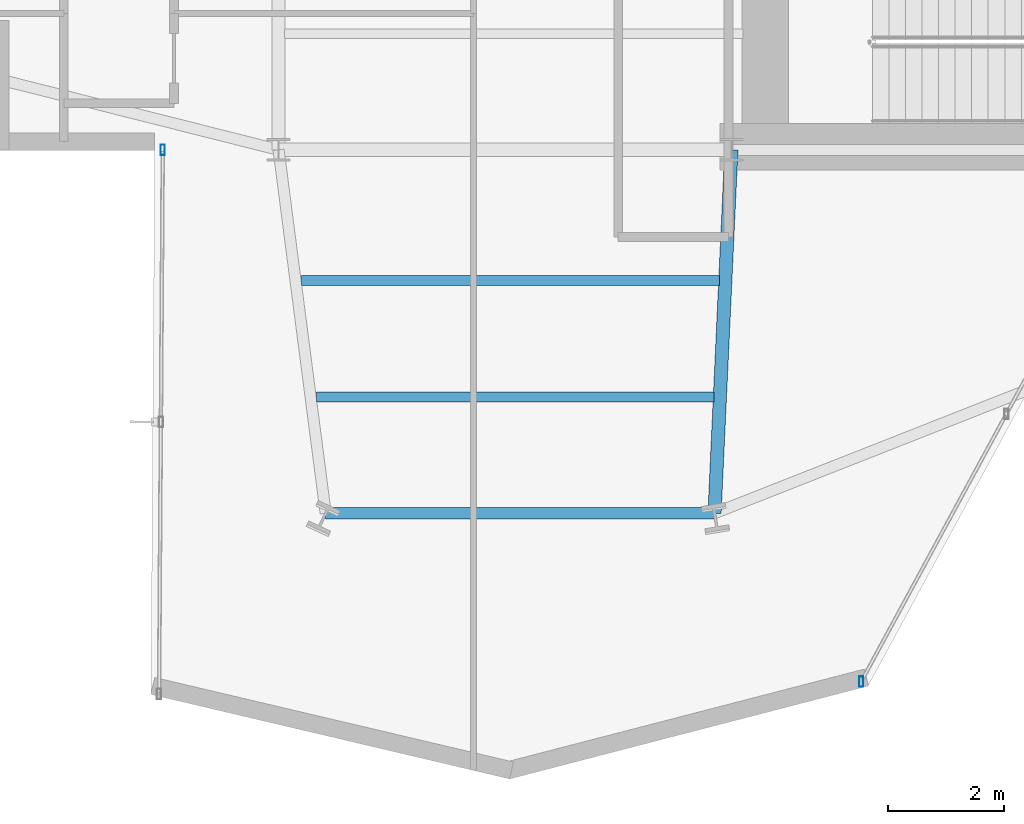
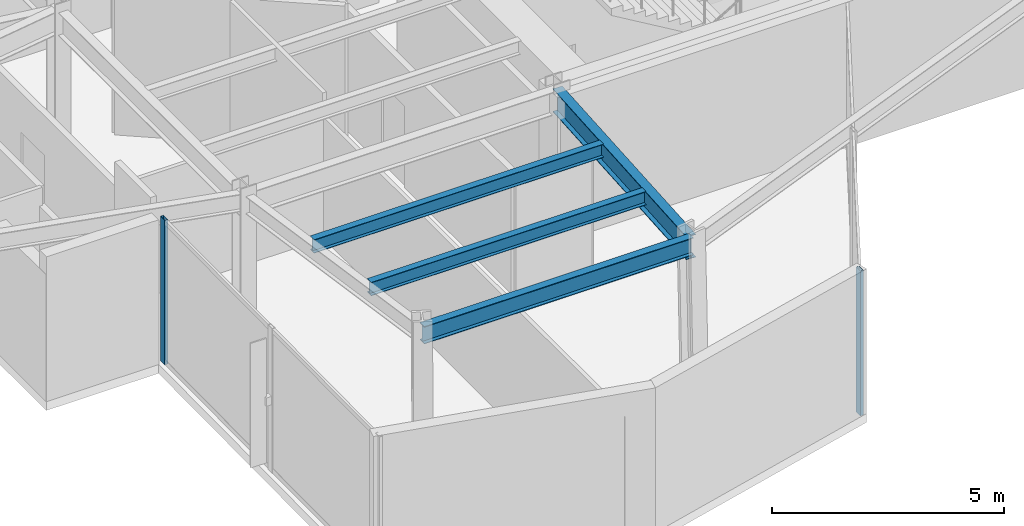
# One storey, part 5 of 26: 4 beams, 2 members, 2 elements without a shape of their own.
"""IFC4 building model written with IfcOpenShell, lengths in metres."""

import ifcopenshell
import ifcopenshell.guid

model = None  # the IFC model being written
_history = None  # IfcOwnerHistory: only IFC2X3 demands one
_inside = {}  # id of a spatial element -> (the spatial element, [elements in it])
_under = {}  # id of a project, library or spatial element -> (it, [spatial elements below it])
_declared = {}  # id of a project -> (the project, [libraries it declares])
_typed = {}  # id of a type object -> (the type object, [elements of that type])
_made_of = {}  # id of a material, layer set ... -> (it, [elements and type objects made of it])


def new_model(schema):
    """Start an empty IFC model of exactly this schema.

    Asked for "IFC4X3", IfcOpenShell would pick the latest addendum, in which some entities
    have other attributes; the version numbers below select the first issue.
    IFC2X3 requires an IfcOwnerHistory on every rooted entity: one is made here for all.
    """
    global model, _history
    if schema == "IFC4X3":
        model = ifcopenshell.file(schema_version=(4, 3, 0, 0))
    else:
        model = ifcopenshell.file(schema=schema)
    _inside.clear()
    _under.clear()
    _declared.clear()
    _typed.clear()
    _made_of.clear()
    _history = None
    if model.schema == "IFC2X3":
        org = make("IfcOrganization", Name="unknown")
        user = make(
            "IfcPersonAndOrganization",
            ThePerson=make("IfcPerson", FamilyName="unknown"),
            TheOrganization=org,
        )
        app = make(
            "IfcApplication",
            ApplicationDeveloper=org,
            Version="unknown",
            ApplicationFullName="unknown",
            ApplicationIdentifier="unknown",
        )
        _history = make(
            "IfcOwnerHistory",
            OwningUser=user,
            OwningApplication=app,
            ChangeAction="ADDED",
            CreationDate=0,
        )
    return model


def make(cls, **values):
    """One entity of the class cls with the attributes given. An attribute that is None is left unset."""
    return model.create_entity(
        cls, **{name: value for name, value in values.items() if value is not None}
    )


def rooted(cls, **values):
    """An entity with a GlobalId (a new one), such as an element, a storey or a relation."""
    return make(cls, GlobalId=ifcopenshell.guid.new(), OwnerHistory=_history, **values)


def si_unit(unit_type, name, prefix=None):
    """IfcSIUnit, for example si_unit("LENGTHUNIT", "METRE", prefix="MILLI")."""
    return make("IfcSIUnit", UnitType=unit_type, Prefix=prefix, Name=name)


def assignment(units):
    """IfcUnitAssignment: the units of a project."""
    return None if units is None else make("IfcUnitAssignment", Units=units)


def point(xyz):
    """IfcCartesianPoint."""
    return None if xyz is None else make("IfcCartesianPoint", Coordinates=xyz)


def direction(xyz):
    """IfcDirection."""
    return None if xyz is None else make("IfcDirection", DirectionRatios=xyz)


def frame(location, z_axis=None, x_axis=None):
    """IfcAxis2Placement3D, a coordinate frame: its origin and axes. An axis left out is left unset."""
    return make(
        "IfcAxis2Placement3D",
        Location=point(location),
        Axis=direction(z_axis),
        RefDirection=direction(x_axis),
    )


def frame_2d(location, x_axis=None):
    """IfcAxis2Placement2D, a coordinate frame in the plane: its origin and x axis."""
    return make(
        "IfcAxis2Placement2D", Location=point(location), RefDirection=direction(x_axis)
    )


def origin():
    """The frame at (0, 0, 0) with its axes left unset."""
    return frame((0.0, 0.0, 0.0))


def origin_2d():
    """The frame at (0, 0) in the plane with its x axis left unset."""
    return frame_2d((0.0, 0.0))


def place(relative_to, where):
    """IfcLocalPlacement: puts the frame where relative to a parent placement (None: the world)."""
    return make(
        "IfcLocalPlacement", PlacementRelTo=relative_to, RelativePlacement=where
    )


def context(
    kind, dimensions, precision=None, world=None, true_north=None, identifier=None
):
    """IfcGeometricRepresentationContext, for example the 3D "Model" context."""
    return make(
        "IfcGeometricRepresentationContext",
        ContextIdentifier=identifier,
        ContextType=kind,
        CoordinateSpaceDimension=dimensions,
        Precision=precision,
        WorldCoordinateSystem=world,
        TrueNorth=true_north,
    )


def subcontext(parent, identifier, kind, view, scale=None):
    """IfcGeometricRepresentationSubContext, for example "Body" below "Model"."""
    return make(
        "IfcGeometricRepresentationSubContext",
        ContextIdentifier=identifier,
        ContextType=kind,
        ParentContext=parent,
        TargetScale=scale,
        TargetView=view,
    )


def project(units=None, contexts=None):
    """IfcProject with its units and contexts."""
    return rooted(
        "IfcProject",
        Name="project",
        RepresentationContexts=contexts,
        UnitsInContext=assignment(units),
    )


def spatial(cls, under=None, at=None, **own):
    """A site, building, storey or space (cls), placed at a placement, below another one or the project."""
    s = rooted(cls, ObjectPlacement=at, **own)
    if under is not None:
        _under.setdefault(under.id(), (under, []))[1].append(s)
    return s


def profile(cls, at=None, kind="AREA", **sizes):
    """A parametric profile (cls). Its sizes go by their IFC names, for example OverallWidth=200.0."""
    return make(cls, ProfileType=kind, Position=at, **sizes)


def hollow_rectangle(**sizes):
    """IfcRectangleHollowProfileDef."""
    return profile("IfcRectangleHollowProfileDef", **sizes)


def i_section(**sizes):
    """IfcIShapeProfileDef."""
    return profile("IfcIShapeProfileDef", **sizes)


def extrude(swept, where, along, depth):
    """IfcExtrudedAreaSolid: the profile swept, set in the frame where, extruded along a direction by depth."""
    return make(
        "IfcExtrudedAreaSolid",
        SweptArea=swept,
        Position=where,
        ExtrudedDirection=direction(along),
        Depth=depth,
    )


def shape(context_of_items, identifier, shape_type, items):
    """IfcShapeRepresentation: the items that make up one representation, for example the "Body"."""
    return make(
        "IfcShapeRepresentation",
        ContextOfItems=context_of_items,
        RepresentationIdentifier=identifier,
        RepresentationType=shape_type,
        Items=items,
    )


def material(Name=None, Category=None):
    """IfcMaterial."""
    return make("IfcMaterial", Name=Name, Category=Category)


def layer(
    of_material, thickness, ventilated=None, Name=None, Category=None, Priority=None
):
    """IfcMaterialLayer: one layer of a wall or slab, of a material (None: an air gap)."""
    return make(
        "IfcMaterialLayer",
        Material=of_material,
        LayerThickness=thickness,
        IsVentilated=ventilated,
        Name=Name,
        Category=Category,
        Priority=Priority,
    )


def layer_set(layers, Name=None):
    """IfcMaterialLayerSet."""
    return make("IfcMaterialLayerSet", MaterialLayers=layers, LayerSetName=Name)


def material_profile(
    of_material, cross_section, Name=None, Category=None, Priority=None
):
    """IfcMaterialProfile: a cross section and its material."""
    return make(
        "IfcMaterialProfile",
        Name=Name,
        Material=of_material,
        Profile=cross_section,
        Priority=Priority,
        Category=Category,
    )


def profile_set(profiles, Name=None, composite=None):
    """IfcMaterialProfileSet."""
    return make(
        "IfcMaterialProfileSet",
        Name=Name,
        MaterialProfiles=profiles,
        CompositeProfile=composite,
    )


def made_of(thing, what):
    """Note that an element or type object is made of a material, layer set ...; save() writes the relation."""
    if what is not None:
        _made_of.setdefault(what.id(), (what, []))[1].append(thing)
    return thing


def type_object(cls, material=None, **own):
    """A type object (cls), such as IfcWallType, which elements share."""
    return made_of(rooted(cls, **own), material)


def element(
    cls,
    number,
    at=None,
    inside=None,
    cuts=None,
    type_object=None,
    material=None,
    context=None,
    identifier="Body",
    shape_type=None,
    held_by="IfcProductDefinitionShape",
    body=None,
    shapes=None,
    **own,
):
    """One element of the class cls, such as IfcWall. Its Tag is "e" and its number.

    at: its placement. inside: the storey or other place that contains it. cuts: it is an
    opening in that element (IfcRelVoidsElement). A single representation is given by context,
    identifier, shape_type and body (its items); several are given by shapes. held_by: the class
    of the entity that holds the representations. save() writes the other relations.
    """
    e = rooted(cls, Tag="e%d" % number, ObjectPlacement=at, **own)
    if body is not None:
        shapes = [shape(context, identifier, shape_type, body)]
    if shapes is not None:
        e.Representation = make(held_by, Representations=shapes)
    if inside is not None:
        _inside.setdefault(inside.id(), (inside, []))[1].append(e)
    if cuts is not None:
        rooted(
            "IfcRelVoidsElement", RelatingBuildingElement=cuts, RelatedOpeningElement=e
        )
    if type_object is not None:
        _typed.setdefault(type_object.id(), (type_object, []))[1].append(e)
    return made_of(e, material)


def aggregate(whole, parts):
    """IfcRelAggregates: a whole, such as a stair, and the parts it consists of."""
    return rooted("IfcRelAggregates", RelatingObject=whole, RelatedObjects=parts)


def save(model, path):
    """Write the relations noted so far, then the file.

    IfcRelAggregates (storeys below a building ...), IfcRelContainedInSpatialStructure (elements
    in a storey), IfcRelDefinesByType, IfcRelAssociatesMaterial and IfcRelDeclares: one each for
    every whole, place, type object, material and project.
    """
    for whole, parts in _under.values():
        aggregate(whole, parts)
    for where, things in _inside.values():
        rooted(
            "IfcRelContainedInSpatialStructure",
            RelatedElements=things,
            RelatingStructure=where,
        )
    for kind, things in _typed.values():
        rooted("IfcRelDefinesByType", RelatedObjects=things, RelatingType=kind)
    for what, things in _made_of.values():
        rooted("IfcRelAssociatesMaterial", RelatedObjects=things, RelatingMaterial=what)
    for by, libraries in _declared.values():
        rooted("IfcRelDeclares", RelatingContext=by, RelatedDefinitions=libraries)
    model.write(path)


model = new_model("IFC4")

# Units and contexts
model_context = context("Model", 3, precision=1e-05, world=origin(), true_north=direction((0.0, 1.0)))
body_context = subcontext(model_context, "Body", "Model", "MODEL_VIEW")
ifc_project = project(units=[si_unit("LENGTHUNIT", "METRE"), si_unit("AREAUNIT", "SQUARE_METRE"), si_unit("VOLUMEUNIT", "CUBIC_METRE"), si_unit("PLANEANGLEUNIT", "RADIAN"), si_unit("MASSUNIT", "GRAM", prefix="KILO")], contexts=[model_context])

# Site, building, storey
site_placement = place(None, origin())
site = spatial("IfcSite", under=ifc_project, at=site_placement, CompositionType="ELEMENT")
building_placement = place(site_placement, origin())
building = spatial("IfcBuilding", under=site, at=building_placement, Name="Veymaron Broadcast Tower", CompositionType="ELEMENT")
storey_placement = place(building_placement, frame((0.0, 0.0, 157.35009765625)))
storey = spatial("IfcBuildingStorey", under=building, at=storey_placement, Name="L36", CompositionType="ELEMENT", Elevation=157.35009765625)

# Beams
ifc_material_1 = material(Name="Structural steel ASTM A992 Gr 50", Category="steel")
ifc_material_profile_1 = material_profile(ifc_material_1, i_section(OverallWidth=0.22802734375, OverallDepth=0.60791015625, WebThickness=0.01123046875, FlangeThickness=0.017333984375, at=origin_2d()), Name="W610X113")
ifc_profile_set_1 = profile_set([ifc_material_profile_1], Name="Structural steel ASTM A992 Gr 50")
beam_type_1 = type_object("IfcBeamType", Name="BM-FG2", PredefinedType="BEAM", material=ifc_profile_set_1)
beam_1_placement = place(storey_placement, frame((39.0, 16.0, 3.505859375), z_axis=(-0.046282396712, -0.998928395709, 0.0), x_axis=(0.998928395709, -0.046282396712, 0.0)))
element("IfcBeam", 1, at=beam_1_placement, inside=storey, type_object=beam_type_1, Name="L36 primary structural floor girder", PredefinedType="BEAM", context=body_context, shape_type="SweptSolid", body=[
    extrude(i_section(OverallWidth=0.22802734375, OverallDepth=0.60791015625, WebThickness=0.01123046875, FlangeThickness=0.017333984375, at=origin_2d()), origin(), (0.0, 0.0, 1.0), 6.266845703125),
])
ifc_material_profile_2 = material_profile(ifc_material_1, i_section(OverallWidth=0.1708984375, OverallDepth=0.35498046875, WebThickness=0.007080078125, FlangeThickness=0.01171875, at=origin_2d()), Name="W360X51")
ifc_profile_set_2 = profile_set([ifc_material_profile_2], Name="Structural steel ASTM A992 Gr 50")
beam_type_2 = type_object("IfcBeamType", Name="BM-JS2", PredefinedType="JOIST", material=ifc_profile_set_2)
beam_2_placement = place(storey_placement, frame((31.59228515625, 13.746337890625, 3.63232421875), z_axis=(1.0, 0.0, 0.0), x_axis=(0.0, 1.0, 0.0)))
element("IfcBeam", 2, at=beam_2_placement, inside=storey, type_object=beam_type_2, Name="L36 Arm-C secondary joist 1", PredefinedType="JOIST", context=body_context, shape_type="SweptSolid", body=[
    extrude(i_section(OverallWidth=0.1708984375, OverallDepth=0.35498046875, WebThickness=0.007080078125, FlangeThickness=0.01171875, at=origin_2d()), origin(), (0.0, 0.0, 1.0), 7.203369140625),
])
beam_3_placement = place(storey_placement, frame((31.852294921875, 11.7431640625, 3.63232421875), z_axis=(1.0, 0.0, 0.0), x_axis=(0.0, 1.0, 0.0)))
element("IfcBeam", 3, at=beam_3_placement, inside=storey, type_object=beam_type_2, Name="L36 Arm-C secondary joist 2", PredefinedType="JOIST", context=body_context, shape_type="SweptSolid", body=[
    extrude(i_section(OverallWidth=0.1708984375, OverallDepth=0.35498046875, WebThickness=0.007080078125, FlangeThickness=0.01171875, at=origin_2d()), origin(), (0.0, 0.0, 1.0), 6.8505859375),
])
ifc_material_profile_3 = material_profile(ifc_material_1, i_section(OverallWidth=0.19091796875, OverallDepth=0.4599609375, WebThickness=0.010009765625, FlangeThickness=0.01611328125, at=origin_2d()), Name="W460X82")
ifc_profile_set_3 = profile_set([ifc_material_profile_3], Name="Structural steel ASTM A992 Gr 50")
beam_type_3 = type_object("IfcBeamType", Name="BM-SP1", PredefinedType="SPANDREL", material=ifc_profile_set_3)
beam_4_placement = place(storey_placement, frame((32.011962890625, 9.739990234375, 3.579833984375), z_axis=(1.0, 0.0, 0.0), x_axis=(0.0, 1.0, 0.0)))
element("IfcBeam", 4, at=beam_4_placement, inside=storey, type_object=beam_type_3, Name="L36 primary structural floor girder", PredefinedType="SPANDREL", context=body_context, shape_type="SweptSolid", body=[
    extrude(i_section(OverallWidth=0.19091796875, OverallDepth=0.4599609375, WebThickness=0.010009765625, FlangeThickness=0.01611328125, at=origin_2d()), origin(), (0.0, 0.0, 1.0), 6.697998046875),
])

# Curtain wall, member
ifc_material_2 = material(Name="Anodised aluminium AA 6063-T6 and laminated low-E dark glass", Category="aluminium")
ifc_layer = layer(ifc_material_2, 0.179931640625)
ifc_layer_set = layer_set([ifc_layer], Name="Anodised aluminium AA 6063-T6 and laminated low-E dark glass")
curtain_wall_type = type_object("IfcCurtainWallType", Name="CW-SYS-03", PredefinedType="NOTDEFINED", material=ifc_layer_set)
curtain_wall_1_placement = place(storey_placement, origin())
curtain_wall_1 = element("IfcCurtainWall", 5, at=curtain_wall_1_placement, inside=storey, type_object=curtain_wall_type, Name="L36 dark-glass curtain wall CW-L36-E17-1", PredefinedType="NOTDEFINED")
ifc_material_3 = material(Name="Anodised aluminium AA 6063-T6", Category="aluminium")
ifc_material_profile_4 = material_profile(ifc_material_3, hollow_rectangle(XDim=0.074951171875, YDim=0.179931640625, WallThickness=0.0048828125, at=origin_2d()), Name="AL180X75X5")
ifc_profile_set_4 = profile_set([ifc_material_profile_4], Name="Anodised aluminium AA 6063-T6")
member_type = type_object("IfcMemberType", Name="CW-MUL-02", PredefinedType="MULLION", material=ifc_profile_set_4)
member_1_placement = place(storey_placement, frame((29.204833984375, 15.9990234375, 0.0), z_axis=(0.0, 0.0, 1.0), x_axis=(1.0, 0.0, 0.0)))
member_1 = element("IfcMember", 6, at=member_1_placement, type_object=member_type, Name="CW-L36-E17-1 mullion 0", PredefinedType="MULLION", context=body_context, shape_type="SweptSolid", body=[
    extrude(hollow_rectangle(XDim=0.074951171875, YDim=0.179931640625, WallThickness=0.0048828125, at=origin_2d()), origin(), (0.0, 0.0, 1.0), 3.809814453125),
])
aggregate(curtain_wall_1, [member_1])

curtain_wall_2_placement = place(storey_placement, origin())
curtain_wall_2 = element("IfcCurtainWall", 7, at=curtain_wall_2_placement, inside=storey, type_object=curtain_wall_type, Name="L36 dark-glass curtain wall CW-L36-E20-1", PredefinedType="NOTDEFINED")
member_2_placement = place(storey_placement, frame((41.237548828125, 6.839599609375, 0.0), z_axis=(0.0, 0.0, 1.0), x_axis=(1.0, 0.0, 0.0)))
member_2 = element("IfcMember", 8, at=member_2_placement, type_object=member_type, Name="CW-L36-E20-1 mullion 0", PredefinedType="MULLION", context=body_context, shape_type="SweptSolid", body=[
    extrude(hollow_rectangle(XDim=0.074951171875, YDim=0.179931640625, WallThickness=0.0048828125, at=origin_2d()), origin(), (0.0, 0.0, 1.0), 3.809814453125),
])
aggregate(curtain_wall_2, [member_2])

save(model, "model.ifc")
